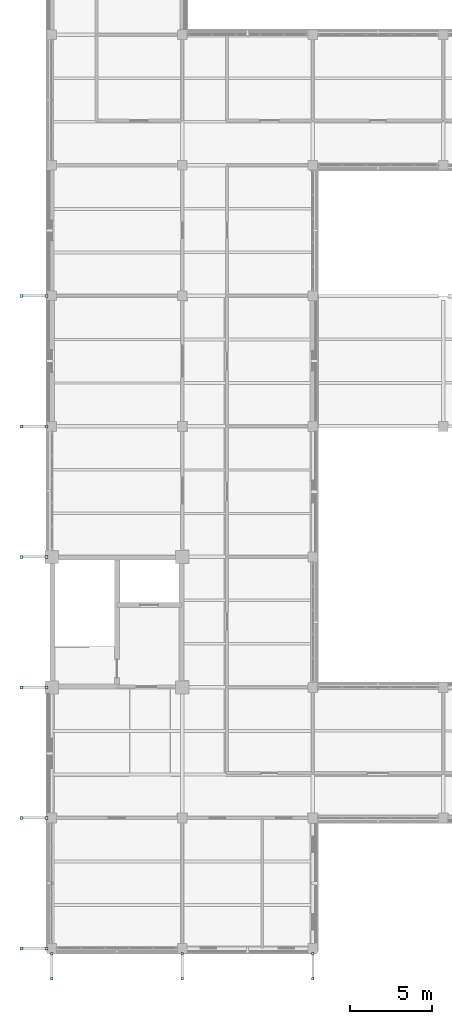
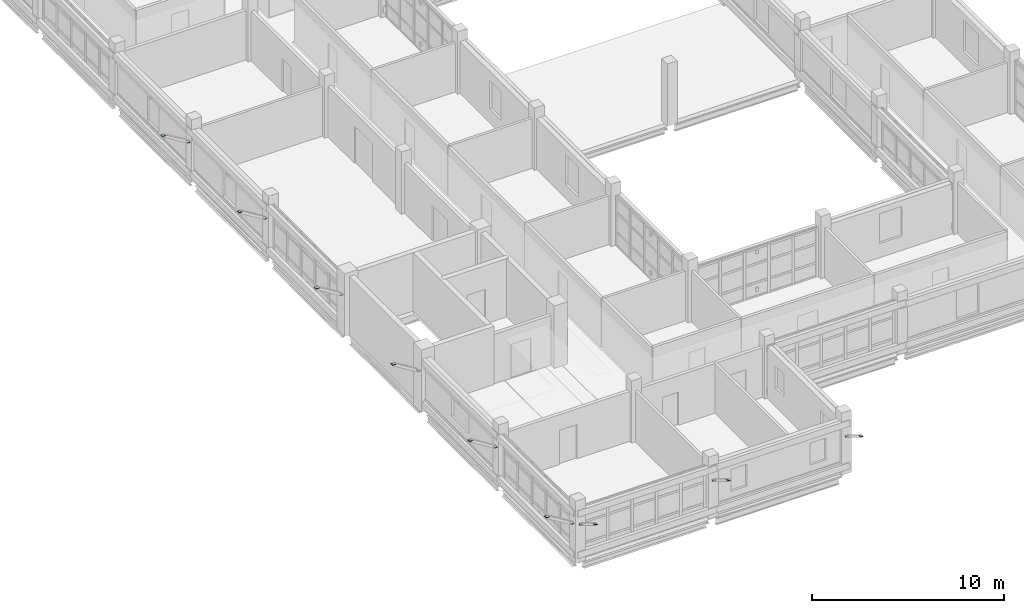
# One storey, part 83 of 126: 18 plates.
"""IFC4 building model written with IfcOpenShell, lengths in metres."""

from ifc_helpers import new_model, si_unit, derived_unit, direction, frame, origin, origin_2d, place, context, subcontext, project, spatial, rectangle, extrude, material, layer, layer_set, type_object, element, save


model = new_model("IFC4")

# Units and contexts
model_context = context("Model", 3, precision=1e-05, world=origin(), true_north=direction((0.0, 1.0)))
body_context = subcontext(model_context, "Body", "Model", "MODEL_VIEW")
ifc_project = project(units=[si_unit("LENGTHUNIT", "METRE"), si_unit("AREAUNIT", "SQUARE_METRE"), si_unit("VOLUMEUNIT", "CUBIC_METRE"), si_unit("PLANEANGLEUNIT", "RADIAN"), si_unit("MASSUNIT", "GRAM", prefix="KILO"), derived_unit("THERMALTRANSMITTANCEUNIT", [(si_unit("MASSUNIT", "GRAM", prefix="KILO"), 1), (si_unit("TIMEUNIT", "SECOND"), -3), (si_unit("THERMODYNAMICTEMPERATUREUNIT", "KELVIN"), -1)])], contexts=[model_context])

# Site, building, storey
site_placement = place(None, origin())
site = spatial("IfcSite", under=ifc_project, at=site_placement, CompositionType="ELEMENT")
building_placement = place(site_placement, origin())
building = spatial("IfcBuilding", under=site, at=building_placement, Name="Veyamyaing Civic Hall", CompositionType="ELEMENT")
storey_placement = place(building_placement, frame((0.0, 0.0, 9.89990234375)))
storey = spatial("IfcBuildingStorey", under=building, at=storey_placement, Name="L02", CompositionType="ELEMENT", Elevation=9.89990234375)

# Plates
ifc_material = material(Name="Steel S355J2", Category="steel")
ifc_layer_1 = layer(ifc_material, 0.01611328125, Name="Steel S355J2")
ifc_layer_set_1 = layer_set([ifc_layer_1], Name="Steel S355J2")
plate_type_1 = type_object("IfcPlateType", Name="GP-03", PredefinedType="SHEET", material=ifc_layer_set_1)
for number, where, z_axis, x_axis, name in (
    (1, (-0.320068359375, 0.0, 2.402099609375), (0.0, 0.0, 1.0), (1.0, 0.0, 0.0), "Eave strut end-cap plate GP-03 V2-W.0.1"),
    (2, (-1.85009765625, 0.0, 3.342041015625), (0.0, 0.0, 1.0), (1.0, 0.0, 0.0), "Eave strut end-cap plate GP-03 V2-W.0.2"),
    (3, (-0.320068359375, 8.0, 2.402099609375), (0.0, 0.0, 1.0), (1.0, 0.0, 0.0), "Eave strut end-cap plate GP-03 V2-W.1.1"),
    (4, (-1.85009765625, 8.0, 3.342041015625), (0.0, 0.0, 1.0), (1.0, 0.0, 0.0), "Eave strut end-cap plate GP-03 V2-W.1.2"),
    (5, (-0.320068359375, 16.0, 2.402099609375), (0.0, 0.0, 1.0), (1.0, 0.0, 0.0), "Eave strut end-cap plate GP-03 V2-W.2.1"),
    (6, (-1.85009765625, 16.0, 3.342041015625), (0.0, 0.0, 1.0), (1.0, 0.0, 0.0), "Eave strut end-cap plate GP-03 V2-W.2.2"),
    (7, (-0.320068359375, 24.0, 2.402099609375), (0.0, 0.0, 1.0), (1.0, 0.0, 0.0), "Eave strut end-cap plate GP-03 V2-W.3.1"),
    (8, (-1.85009765625, 24.0, 3.342041015625), (0.0, 0.0, 1.0), (1.0, 0.0, 0.0), "Eave strut end-cap plate GP-03 V2-W.3.2"),
    (9, (-0.320068359375, 32.0, 2.402099609375), (0.0, 0.0, 1.0), (1.0, 0.0, 0.0), "Eave strut end-cap plate GP-03 V2-W.4.1"),
    (10, (-1.85009765625, 32.0, 3.342041015625), (0.0, 0.0, 1.0), (1.0, 0.0, 0.0), "Eave strut end-cap plate GP-03 V2-W.4.2"),
    (11, (-0.320068359375, 40.0, 2.402099609375), (0.0, 0.0, 1.0), (1.0, 0.0, 0.0), "Eave strut end-cap plate GP-03 V2-W.5.1"),
    (12, (-1.85009765625, 40.0, 3.342041015625), (0.0, 0.0, 1.0), (1.0, 0.0, 0.0), "Eave strut end-cap plate GP-03 V2-W.5.2"),
):
    element("IfcPlate", number, at=place(storey_placement, frame(where, z_axis=z_axis, x_axis=x_axis)), inside=storey, type_object=plate_type_1, Name=name, PredefinedType="SHEET", context=body_context, shape_type="SweptSolid", body=[
        extrude(rectangle(XDim=0.18994140625, YDim=0.18994140625, at=origin_2d()), origin(), (0.0, 0.0, 1.0), 0.01611328125),
    ])
ifc_layer_2 = layer(ifc_material, 0.013916015625, Name="Steel S355J2")
ifc_layer_set_2 = layer_set([ifc_layer_2], Name="Steel S355J2")
plate_type_2 = type_object("IfcPlateType", Name="GP-06", PredefinedType="SHEET", material=ifc_layer_set_2)
for number, where, z_axis, x_axis, name in (
    (13, (0.0, -0.320068359375, 2.4033203125), (0.0, 0.0, 1.0), (0.0, 1.0, 0.0), "Eave strut end-cap plate GP-06 V2-S.0.1"),
    (14, (0.0, -1.85009765625, 3.34326171875), (0.0, 0.0, 1.0), (0.0, 1.0, 0.0), "Eave strut end-cap plate GP-06 V2-S.0.2"),
    (15, (8.0, -0.320068359375, 2.4033203125), (0.0, 0.0, 1.0), (0.0, 1.0, 0.0), "Eave strut end-cap plate GP-06 V2-S.1.1"),
    (16, (8.0, -1.85009765625, 3.34326171875), (0.0, 0.0, 1.0), (0.0, 1.0, 0.0), "Eave strut end-cap plate GP-06 V2-S.1.2"),
    (17, (16.0, -0.320068359375, 2.4033203125), (0.0, 0.0, 1.0), (0.0, 1.0, 0.0), "Eave strut end-cap plate GP-06 V2-S.2.1"),
    (18, (16.0, -1.85009765625, 3.34326171875), (0.0, 0.0, 1.0), (0.0, 1.0, 0.0), "Eave strut end-cap plate GP-06 V2-S.2.2"),
):
    element("IfcPlate", number, at=place(storey_placement, frame(where, z_axis=z_axis, x_axis=x_axis)), inside=storey, type_object=plate_type_2, Name=name, PredefinedType="SHEET", context=body_context, shape_type="SweptSolid", body=[
        extrude(rectangle(XDim=0.1650390625, YDim=0.1650390625, at=origin_2d()), origin(), (0.0, 0.0, 1.0), 0.013916015625),
    ])

save(model, "model.ifc")
